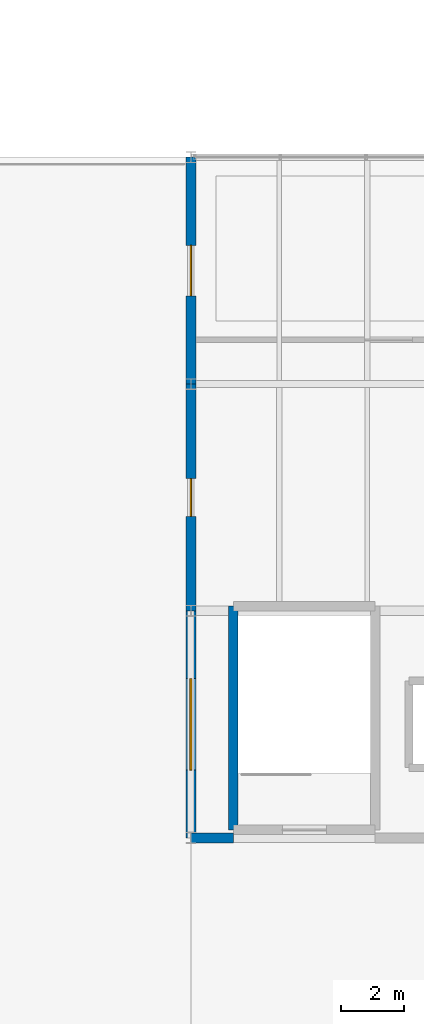
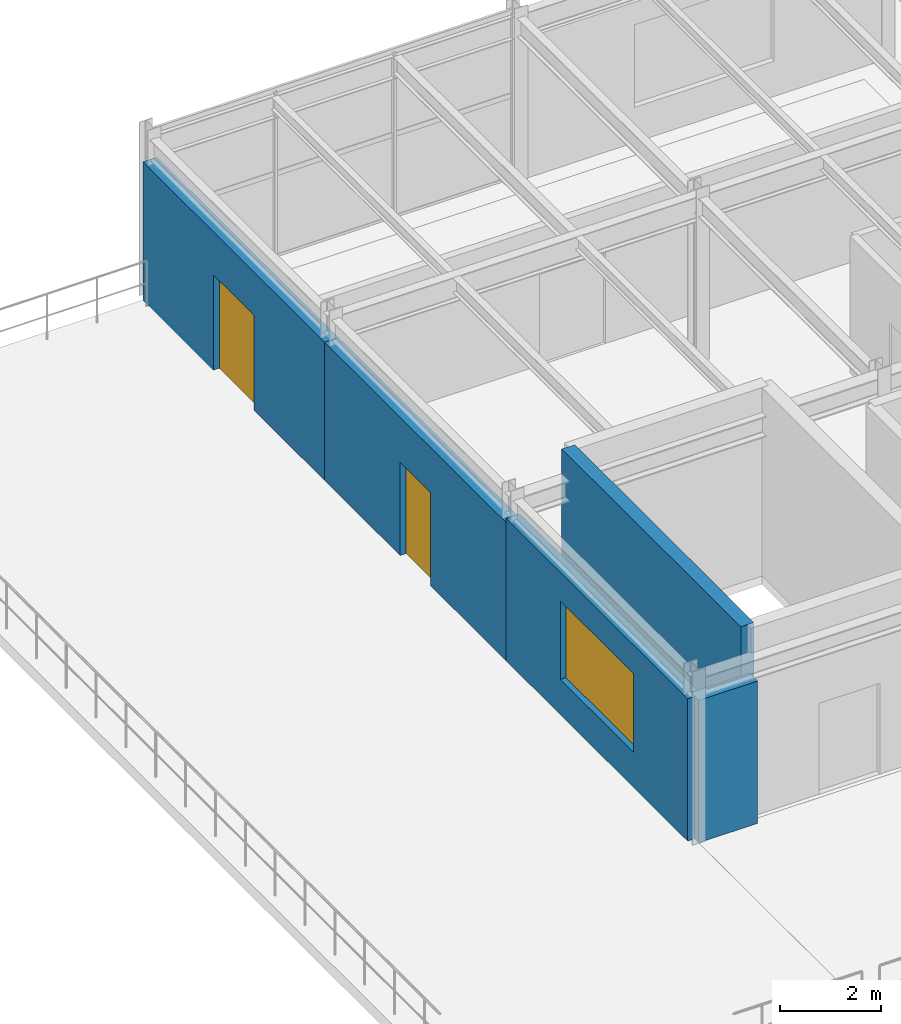
# One storey, part 127 of 134: 5 walls, 2 doors, 1 window, 3 openings.
"""IFC4 building model written with IfcOpenShell, lengths in metres."""

from ifc_helpers import new_model, si_unit, derived_unit, direction, frame, frame_2d, origin, place, context, subcontext, project, spatial, rectangle, extrude, material, layer, layer_set, type_object, element, fill, save


model = new_model("IFC4")

# Units and contexts
model_context = context("Model", 3, precision=1e-05, world=origin(), true_north=direction((0.0, 1.0)))
body_context = subcontext(model_context, "Body", "Model", "MODEL_VIEW")
ifc_project = project(units=[si_unit("LENGTHUNIT", "METRE"), si_unit("AREAUNIT", "SQUARE_METRE"), si_unit("VOLUMEUNIT", "CUBIC_METRE"), si_unit("PLANEANGLEUNIT", "RADIAN"), si_unit("MASSUNIT", "GRAM", prefix="KILO"), derived_unit("THERMALTRANSMITTANCEUNIT", [(si_unit("MASSUNIT", "GRAM", prefix="KILO"), 1), (si_unit("TIMEUNIT", "SECOND"), -3), (si_unit("THERMODYNAMICTEMPERATUREUNIT", "KELVIN"), -1)])], contexts=[model_context])

# Site, building, storey
site_placement = place(None, origin())
site = spatial("IfcSite", under=ifc_project, at=site_placement, CompositionType="ELEMENT")
building_placement = place(site_placement, origin())
building = spatial("IfcBuilding", under=site, at=building_placement, Name="Kharveza Railside Sports Centre", CompositionType="ELEMENT")
storey_placement = place(building_placement, frame((0.0, 0.0, 12.89990234375)))
storey = spatial("IfcBuildingStorey", under=building, at=storey_placement, Name="L03", CompositionType="ELEMENT", Elevation=12.89990234375)

# Wall
ifc_material_1 = material(Name="Concrete C35/45", Category="concrete")
ifc_layer_1 = layer(ifc_material_1, 0.300048828125, Name="Concrete C35/45")
ifc_layer_set_1 = layer_set([ifc_layer_1], Name="Concrete C35/45")
wall_type_1 = type_object("IfcWallType", Name="WL-CR300", PredefinedType="SHEAR", material=ifc_layer_set_1)
wall_1_placement = place(storey_placement, frame((127.35009765625, 21.75, 0.0), z_axis=(0.0, 0.0, 1.0), x_axis=(0.0, -1.0, 0.0)))
element("IfcWall", 1, at=wall_1_placement, inside=storey, type_object=wall_type_1, Name="WL-CORE-ST3-L03-W", PredefinedType="SHEAR", context=body_context, shape_type="SweptSolid", body=[
    extrude(rectangle(XDim=7.10009765625, YDim=0.300048828125, at=frame_2d((3.550048828125, 0.0))), origin(), (0.0, 0.0, 1.0), 4.56005859375),
])

# Wall, opening, door
ifc_material_2 = material(Name="Precast concrete C40/50", Category="concrete")
ifc_layer_2 = layer(ifc_material_2, 0.320068359375, Name="Precast concrete C40/50")
ifc_layer_set_2 = layer_set([ifc_layer_2], Name="Precast concrete C40/50")
wall_type_2 = type_object("IfcWallType", Name="WL-EX320", PredefinedType="STANDARD", material=ifc_layer_set_2)
wall_2_placement = place(storey_placement, frame((126.0, 36.0, 0.0), z_axis=(0.0, 0.0, 1.0), x_axis=(0.0, -1.0, 0.0)))
wall_2 = element("IfcWall", 2, at=wall_2_placement, inside=storey, type_object=wall_type_2, Name="WL-EXT-L03-212", PredefinedType="STANDARD", context=body_context, shape_type="SweptSolid", body=[
    extrude(rectangle(XDim=7.199951171875, YDim=0.320068359375, at=frame_2d((3.60009765625, 0.0))), origin(), (0.0, 0.0, 1.0), 3.34521484375),
])
opening_1_placement = place(wall_2_placement, frame((2.800048828125, 0.0, 0.0)))
opening_1 = element("IfcOpeningElement", 3, at=opening_1_placement, cuts=wall_2, Name="Opening D04", PredefinedType="OPENING", context=body_context, shape_type="SweptSolid", body=[
    extrude(rectangle(XDim=1.60009765625, YDim=2.300048828125, at=frame_2d((0.800048828125, 1.14990234375))), frame((0.0, 0.18505859375, 0.0), z_axis=(0.0, -1.0, 0.0), x_axis=(1.0, 0.0, 0.0)), (0.0, 0.0, 1.0), 0.369873046875),
])
ifc_material_3 = material(Name="Anodised aluminium 6063-T6", Category="aluminium")
door_type_1 = type_object("IfcDoorType", Name="DR-EX04", OperationType="NOTDEFINED", PredefinedType="DOOR", material=ifc_material_3)
door_1_placement = place(opening_1_placement, frame((1.60009765625, 0.0, 0.0), z_axis=(0.0, 0.0, 1.0), x_axis=(-1.0, 0.0, 0.0)))
door_1 = element("IfcDoor", 4, at=door_1_placement, inside=storey, type_object=door_type_1, Name="DR-TERR-L03-035", OperationType="DOUBLE_DOOR_SINGLE_SWING", OverallHeight=2.300048828125, OverallWidth=1.60009765625, PredefinedType="DOOR", context=body_context, shape_type="SweptSolid", body=[
    extrude(rectangle(XDim=1.60009765625, YDim=2.300048828125, at=frame_2d((0.800048828125, 1.14990234375))), frame((0.0, 0.02490234375, 0.0), z_axis=(0.0, -1.0, 0.0), x_axis=(1.0, 0.0, 0.0)), (0.0, 0.0, 1.0), 0.050048828125),
])
fill(opening_1, door_1)

wall_3_placement = place(storey_placement, frame((126.0, 28.800048828125, 0.0), z_axis=(0.0, 0.0, 1.0), x_axis=(0.0, -1.0, 0.0)))
wall_3 = element("IfcWall", 5, at=wall_3_placement, inside=storey, type_object=wall_type_2, Name="WL-EXT-L03-213", PredefinedType="STANDARD", context=body_context, shape_type="SweptSolid", body=[
    extrude(rectangle(XDim=7.199951171875, YDim=0.320068359375, at=frame_2d((3.60009765625, 0.0))), origin(), (0.0, 0.0, 1.0), 3.34521484375),
])
opening_2_placement = place(wall_3_placement, frame((3.0, 0.0, 0.0)))
opening_2 = element("IfcOpeningElement", 6, at=opening_2_placement, cuts=wall_3, Name="Opening D05", PredefinedType="OPENING", context=body_context, shape_type="SweptSolid", body=[
    extrude(rectangle(XDim=1.199951171875, YDim=2.25, at=frame_2d((0.60009765625, 1.125))), frame((0.0, 0.18505859375, 0.0), z_axis=(0.0, -1.0, 0.0), x_axis=(1.0, 0.0, 0.0)), (0.0, 0.0, 1.0), 0.369873046875),
])
door_type_2 = type_object("IfcDoorType", Name="DR-EX05", OperationType="NOTDEFINED", PredefinedType="DOOR", material=ifc_material_3)
door_2_placement = place(opening_2_placement, frame((1.199951171875, 0.0, 0.0), z_axis=(0.0, 0.0, 1.0), x_axis=(-1.0, 0.0, 0.0)))
door_2 = element("IfcDoor", 7, at=door_2_placement, inside=storey, type_object=door_type_2, Name="DR-TERR-L03-036", OperationType="SINGLE_SWING_RIGHT", OverallHeight=2.25, OverallWidth=1.199951171875, PredefinedType="DOOR", context=body_context, shape_type="SweptSolid", body=[
    extrude(rectangle(XDim=1.199951171875, YDim=2.25, at=frame_2d((0.60009765625, 1.125))), frame((0.0, 0.02490234375, 0.0), z_axis=(0.0, -1.0, 0.0), x_axis=(1.0, 0.0, 0.0)), (0.0, 0.0, 1.0), 0.050048828125),
])
fill(opening_2, door_2)

# Wall, opening, window
wall_4_placement = place(storey_placement, frame((126.0, 21.60009765625, 0.0), z_axis=(0.0, 0.0, 1.0), x_axis=(0.0, -1.0, 0.0)))
wall_4 = element("IfcWall", 8, at=wall_4_placement, inside=storey, type_object=wall_type_2, Name="WL-EXT-L03-214", PredefinedType="STANDARD", context=body_context, shape_type="SweptSolid", body=[
    extrude(rectangle(XDim=7.2001953125, YDim=0.320068359375, at=frame_2d((3.60009765625, 0.0))), origin(), (0.0, 0.0, 1.0), 3.445068359375),
])
opening_3_placement = place(wall_4_placement, frame((2.14990234375, 0.0, 0.85009765625)))
opening_3 = element("IfcOpeningElement", 9, at=opening_3_placement, cuts=wall_4, Name="Opening WN19", PredefinedType="OPENING", context=body_context, shape_type="SweptSolid", body=[
    extrude(rectangle(XDim=2.89990234375, YDim=1.89990234375, at=frame_2d((1.449951171875, 0.949951171875))), frame((0.0, 0.18505859375, 0.0), z_axis=(0.0, -1.0, 0.0), x_axis=(1.0, 0.0, 0.0)), (0.0, 0.0, 1.0), 0.369873046875),
])
ifc_material_4 = material(Name="Low-E solar-control laminated glass", Category="glass")
window_type = type_object("IfcWindowType", Name="WN-Z03", PartitioningType="SINGLE_PANEL", PredefinedType="WINDOW", material=ifc_material_4)
window_placement = place(opening_3_placement, origin())
window = element("IfcWindow", 10, at=window_placement, inside=storey, type_object=window_type, Name="WN-EXT-L03-124", OverallHeight=1.89990234375, OverallWidth=2.89990234375, PartitioningType="SINGLE_PANEL", PredefinedType="WINDOW", context=body_context, shape_type="SweptSolid", body=[
    extrude(rectangle(XDim=2.89990234375, YDim=1.89990234375, at=frame_2d((1.449951171875, 0.949951171875))), frame((0.0, 0.030029296875, 0.0), z_axis=(0.0, -1.0, 0.0), x_axis=(1.0, 0.0, 0.0)), (0.0, 0.0, 1.0), 0.06005859375),
])
fill(opening_3, window)

# Wall
wall_5_placement = place(storey_placement, frame((126.0, 14.39990234375, 0.0), z_axis=(0.0, 0.0, 1.0), x_axis=(1.0, 0.0, 0.0)))
element("IfcWall", 11, at=wall_5_placement, inside=storey, type_object=wall_type_2, Name="WL-EXT-L03-215", PredefinedType="STANDARD", context=body_context, shape_type="SweptSolid", body=[
    extrude(rectangle(XDim=1.35009765625, YDim=0.320068359375, at=frame_2d((0.675048828125, 0.0))), origin(), (0.0, 0.0, 1.0), 3.445068359375),
])

save(model, "model.ifc")
